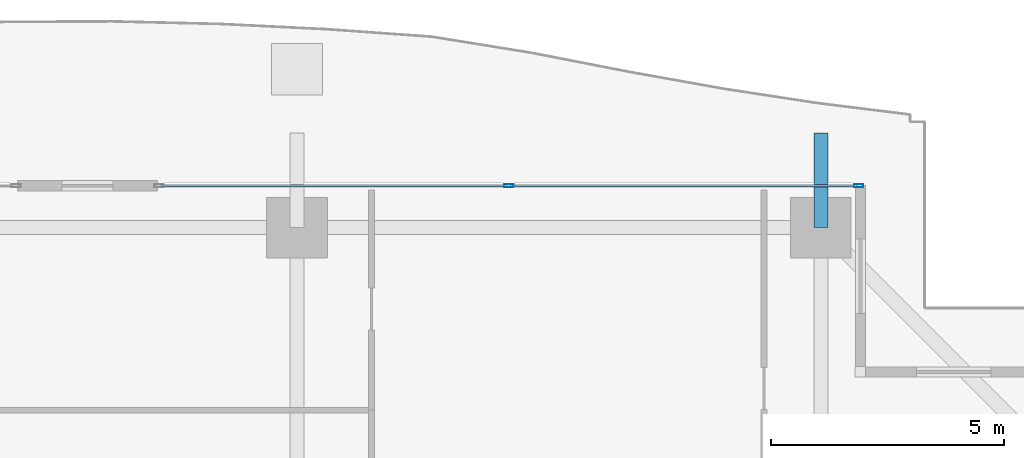
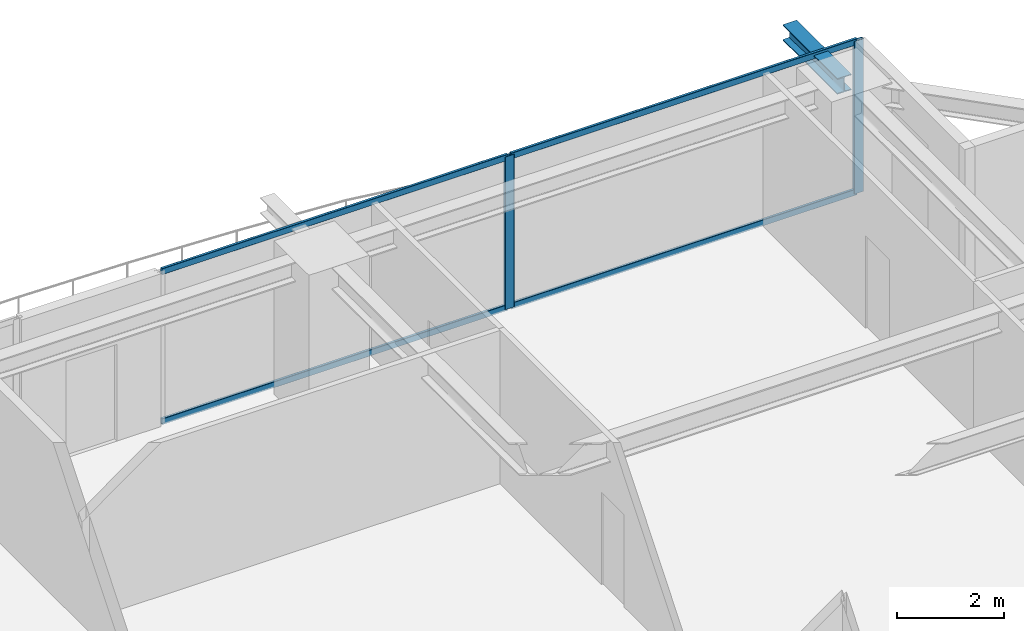
# One storey, part 25 of 37: 6 members, 1 beam, 1 element without a shape of its own.
"""IFC4 building model written with IfcOpenShell, lengths in metres."""

from ifc_helpers import new_model, si_unit, direction, frame, origin, origin_2d, place, context, subcontext, project, spatial, hollow_rectangle, i_section, extrude, source, transform, mapped, material, layer, layer_set, material_profile, profile_set, type_object, element, aggregate, save


model = new_model("IFC4")

# Units and contexts
model_context = context("Model", 3, precision=1e-05, world=origin(), true_north=direction((0.0, 1.0)))
body_context = subcontext(model_context, "Body", "Model", "MODEL_VIEW")
ifc_project = project(units=[si_unit("LENGTHUNIT", "METRE"), si_unit("AREAUNIT", "SQUARE_METRE"), si_unit("VOLUMEUNIT", "CUBIC_METRE"), si_unit("PLANEANGLEUNIT", "RADIAN"), si_unit("MASSUNIT", "GRAM", prefix="KILO")], contexts=[model_context])

# Site, building, storey
site_placement = place(None, origin())
site = spatial("IfcSite", under=ifc_project, at=site_placement, CompositionType="ELEMENT")
building_placement = place(site_placement, origin())
building = spatial("IfcBuilding", under=site, at=building_placement, Name="Serunith Strait Residences", CompositionType="ELEMENT")
storey_placement = place(building_placement, frame((0.0, 0.0, 138.89990234375)))
storey = spatial("IfcBuildingStorey", under=building, at=storey_placement, Name="L34", CompositionType="ELEMENT", Elevation=138.89990234375)

# Beam
ifc_material_1 = material(Name="Steel S355J2", Category="steel")
ifc_material_profile_1 = material_profile(ifc_material_1, i_section(OverallWidth=0.300048828125, OverallDepth=0.360107421875, WebThickness=0.012451171875, FlangeThickness=0.0224609375, FilletRadius=0.027099609375, at=origin_2d()), Name="HEB 360")
ifc_profile_set_1 = profile_set([ifc_material_profile_1], Name="Steel S355J2")
beam_type = type_object("IfcBeamType", Name="BM-HEB360", PredefinedType="BEAM", material=ifc_profile_set_1)
shared_shape_1 = source(origin(), body_context, "Body", "SweptSolid", [
    extrude(i_section(OverallWidth=0.300048828125, OverallDepth=0.360107421875, WebThickness=0.012451171875, FlangeThickness=0.0224609375, FilletRadius=0.027099609375, at=origin_2d()), origin(), (0.0, 0.0, 1.0), 2.02978515625),
])
beam_placement = place(storey_placement, frame((48.14990234375, 48.10009765625, 3.277099609375), z_axis=(0.0, 1.0, 0.0), x_axis=(-1.0, 0.0, 0.0)))
element("IfcBeam", 1, at=beam_placement, inside=storey, type_object=beam_type, Name="L35 Cantilevered Balcony Rib TC-N4", PredefinedType="BEAM", context=body_context, shape_type="MappedRepresentation", body=[
    mapped(shared_shape_1, transform((0.0, 0.0, 0.0), scale=1.0)),
])

# Curtain wall, members
ifc_material_2 = material(Name="Pale-Champagne Anodised Aluminium", Category="aluminium")
ifc_layer = layer(ifc_material_2, 0.199951171875, Name="Pale-Champagne Anodised Aluminium")
ifc_layer_set = layer_set([ifc_layer], Name="Pale-Champagne Anodised Aluminium")
curtain_wall_type = type_object("IfcCurtainWallType", Name="CW-SYS2", PredefinedType="NOTDEFINED", material=ifc_layer_set)
curtain_wall_placement = place(storey_placement, origin())
curtain_wall = element("IfcCurtainWall", 2, at=curtain_wall_placement, inside=storey, type_object=curtain_wall_type, Name="L34 N Unitised Fritted Curtain Wall", PredefinedType="NOTDEFINED")
ifc_material_profile_2 = material_profile(ifc_material_2, hollow_rectangle(XDim=0.070068359375, YDim=0.199951171875, WallThickness=0.00390625, InnerFilletRadius=0.006103515625, OuterFilletRadius=0.010009765625, at=origin_2d()), Name="ALU 200x70x4")
ifc_profile_set_2 = profile_set([ifc_material_profile_2], Name="Pale-Champagne Anodised Aluminium")
member_type_1 = type_object("IfcMemberType", Name="CW-SYS2-MULL", PredefinedType="MULLION", material=ifc_profile_set_2)
shared_shape_2 = source(origin(), body_context, "Body", "SweptSolid", [
    extrude(hollow_rectangle(XDim=0.070068359375, YDim=0.199951171875, WallThickness=0.00390625, InnerFilletRadius=0.006103515625, OuterFilletRadius=0.010009765625, at=origin_2d()), origin(), (0.0, 0.0, 1.0), 3.47509765625),
])
member_1_placement = place(storey_placement, frame((48.965087890625, 49.0, 0.0), z_axis=(0.0, 0.0, 1.0), x_axis=(0.0, -1.0, 0.0)))
member_1 = element("IfcMember", 3, at=member_1_placement, type_object=member_type_1, Name="CW-2 mullion 1", PredefinedType="MULLION", context=body_context, shape_type="MappedRepresentation", body=[
    mapped(shared_shape_2, transform((0.0, 0.0, 0.0), scale=1.0)),
])
member_2_placement = place(storey_placement, frame((41.449951171875, 49.0, 0.0), z_axis=(0.0, 0.0, 1.0), x_axis=(0.0, -1.0, 0.0)))
member_2 = element("IfcMember", 4, at=member_2_placement, type_object=member_type_1, Name="CW-2 mullion 2", PredefinedType="MULLION", context=body_context, shape_type="MappedRepresentation", body=[
    mapped(shared_shape_2, transform((0.0, 0.0, 0.0), scale=1.0)),
])
ifc_material_profile_3 = material_profile(ifc_material_2, hollow_rectangle(XDim=0.06005859375, YDim=0.139892578125, WallThickness=0.00341796875, InnerFilletRadius=0.00537109375, OuterFilletRadius=0.0087890625, at=origin_2d()), Name="ALU 140x60x3.5")
ifc_profile_set_3 = profile_set([ifc_material_profile_3], Name="Pale-Champagne Anodised Aluminium")
member_type_2 = type_object("IfcMemberType", Name="CW-SYS2-TRAN", PredefinedType="USERDEFINED", material=ifc_profile_set_3)
shared_shape_3 = source(origin(), body_context, "Body", "SweptSolid", [
    extrude(hollow_rectangle(XDim=0.06005859375, YDim=0.139892578125, WallThickness=0.00341796875, InnerFilletRadius=0.00537109375, OuterFilletRadius=0.0087890625, at=origin_2d()), origin(), (0.0, 0.0, 1.0), 7.44482421875),
])
member_3_placement = place(storey_placement, frame((48.929931640625, 49.0, 0.030029296875), z_axis=(-1.0, 0.0, 0.0), x_axis=(0.0, -1.0, 0.0)))
member_3 = element("IfcMember", 5, at=member_3_placement, type_object=member_type_2, Name="CW-2 transom 1.1", ObjectType="TRANSOM", PredefinedType="USERDEFINED", context=body_context, shape_type="MappedRepresentation", body=[
    mapped(shared_shape_3, transform((0.0, 0.0, 0.0), scale=1.0)),
])
member_4_placement = place(storey_placement, frame((48.929931640625, 49.0, 3.445068359375), z_axis=(-1.0, 0.0, 0.0), x_axis=(0.0, -1.0, 0.0)))
member_4 = element("IfcMember", 6, at=member_4_placement, type_object=member_type_2, Name="CW-2 transom 1.2", ObjectType="TRANSOM", PredefinedType="USERDEFINED", context=body_context, shape_type="MappedRepresentation", body=[
    mapped(shared_shape_3, transform((0.0, 0.0, 0.0), scale=1.0)),
])
shared_shape_4 = source(origin(), body_context, "Body", "SweptSolid", [
    extrude(hollow_rectangle(XDim=0.06005859375, YDim=0.139892578125, WallThickness=0.00341796875, InnerFilletRadius=0.00537109375, OuterFilletRadius=0.0087890625, at=origin_2d()), origin(), (0.0, 0.0, 1.0), 7.445068359375),
])
member_5_placement = place(storey_placement, frame((41.4150390625, 49.0, 0.030029296875), z_axis=(-1.0, 0.0, 0.0), x_axis=(0.0, -1.0, 0.0)))
member_5 = element("IfcMember", 7, at=member_5_placement, type_object=member_type_2, Name="CW-2 transom 2.1", ObjectType="TRANSOM", PredefinedType="USERDEFINED", context=body_context, shape_type="MappedRepresentation", body=[
    mapped(shared_shape_4, transform((0.0, 0.0, 0.0), scale=1.0)),
])
member_6_placement = place(storey_placement, frame((41.4150390625, 49.0, 3.445068359375), z_axis=(-1.0, 0.0, 0.0), x_axis=(0.0, -1.0, 0.0)))
member_6 = element("IfcMember", 8, at=member_6_placement, type_object=member_type_2, Name="CW-2 transom 2.2", ObjectType="TRANSOM", PredefinedType="USERDEFINED", context=body_context, shape_type="MappedRepresentation", body=[
    mapped(shared_shape_4, transform((0.0, 0.0, 0.0), scale=1.0)),
])
aggregate(curtain_wall, [member_1, member_2, member_3, member_4, member_5, member_6])

save(model, "model.ifc")
